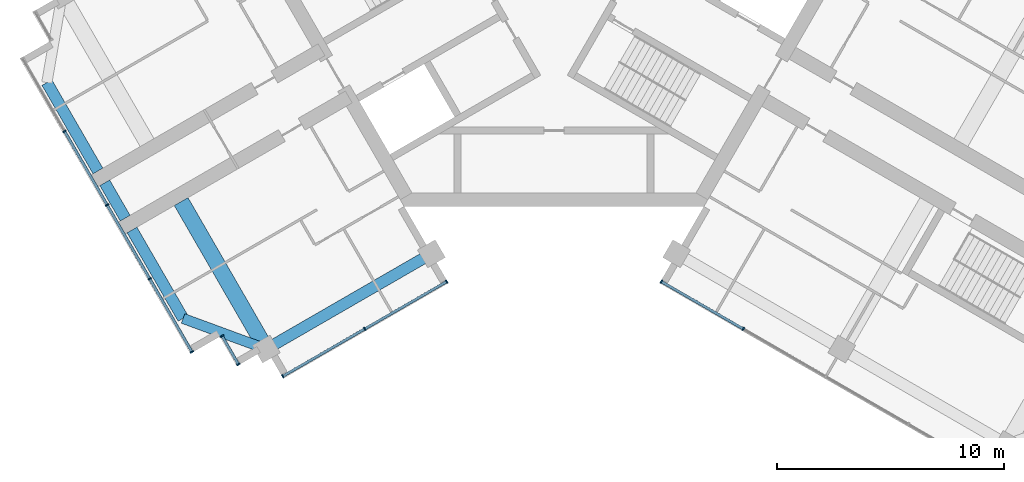
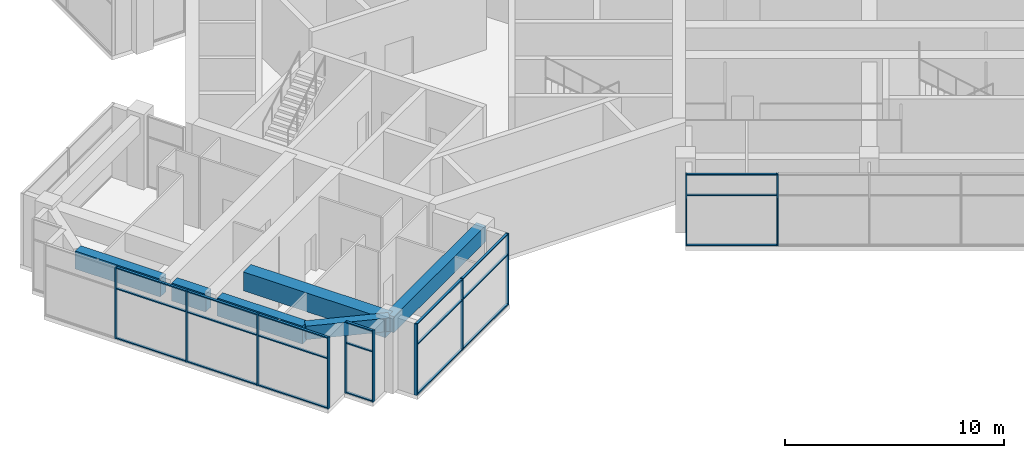
# One storey, part 2 of 13: 32 members, 6 beams, 4 elements without a shape of their own.
"""IFC4 building model written with IfcOpenShell, lengths in metres."""

import ifcopenshell
import ifcopenshell.guid

model = None  # the IFC model being written
_history = None  # IfcOwnerHistory: only IFC2X3 demands one
_inside = {}  # id of a spatial element -> (the spatial element, [elements in it])
_under = {}  # id of a project, library or spatial element -> (it, [spatial elements below it])
_declared = {}  # id of a project -> (the project, [libraries it declares])
_typed = {}  # id of a type object -> (the type object, [elements of that type])
_made_of = {}  # id of a material, layer set ... -> (it, [elements and type objects made of it])


def new_model(schema):
    """Start an empty IFC model of exactly this schema.

    Asked for "IFC4X3", IfcOpenShell would pick the latest addendum, in which some entities
    have other attributes; the version numbers below select the first issue.
    IFC2X3 requires an IfcOwnerHistory on every rooted entity: one is made here for all.
    """
    global model, _history
    if schema == "IFC4X3":
        model = ifcopenshell.file(schema_version=(4, 3, 0, 0))
    else:
        model = ifcopenshell.file(schema=schema)
    _inside.clear()
    _under.clear()
    _declared.clear()
    _typed.clear()
    _made_of.clear()
    _history = None
    if model.schema == "IFC2X3":
        org = make("IfcOrganization", Name="unknown")
        user = make(
            "IfcPersonAndOrganization",
            ThePerson=make("IfcPerson", FamilyName="unknown"),
            TheOrganization=org,
        )
        app = make(
            "IfcApplication",
            ApplicationDeveloper=org,
            Version="unknown",
            ApplicationFullName="unknown",
            ApplicationIdentifier="unknown",
        )
        _history = make(
            "IfcOwnerHistory",
            OwningUser=user,
            OwningApplication=app,
            ChangeAction="ADDED",
            CreationDate=0,
        )
    return model


def make(cls, **values):
    """One entity of the class cls with the attributes given. An attribute that is None is left unset."""
    return model.create_entity(
        cls, **{name: value for name, value in values.items() if value is not None}
    )


def rooted(cls, **values):
    """An entity with a GlobalId (a new one), such as an element, a storey or a relation."""
    return make(cls, GlobalId=ifcopenshell.guid.new(), OwnerHistory=_history, **values)


def si_unit(unit_type, name, prefix=None):
    """IfcSIUnit, for example si_unit("LENGTHUNIT", "METRE", prefix="MILLI")."""
    return make("IfcSIUnit", UnitType=unit_type, Prefix=prefix, Name=name)


def assignment(units):
    """IfcUnitAssignment: the units of a project."""
    return None if units is None else make("IfcUnitAssignment", Units=units)


def point(xyz):
    """IfcCartesianPoint."""
    return None if xyz is None else make("IfcCartesianPoint", Coordinates=xyz)


def direction(xyz):
    """IfcDirection."""
    return None if xyz is None else make("IfcDirection", DirectionRatios=xyz)


def frame(location, z_axis=None, x_axis=None):
    """IfcAxis2Placement3D, a coordinate frame: its origin and axes. An axis left out is left unset."""
    return make(
        "IfcAxis2Placement3D",
        Location=point(location),
        Axis=direction(z_axis),
        RefDirection=direction(x_axis),
    )


def frame_2d(location, x_axis=None):
    """IfcAxis2Placement2D, a coordinate frame in the plane: its origin and x axis."""
    return make(
        "IfcAxis2Placement2D", Location=point(location), RefDirection=direction(x_axis)
    )


def origin():
    """The frame at (0, 0, 0) with its axes left unset."""
    return frame((0.0, 0.0, 0.0))


def origin_2d():
    """The frame at (0, 0) in the plane with its x axis left unset."""
    return frame_2d((0.0, 0.0))


def place(relative_to, where):
    """IfcLocalPlacement: puts the frame where relative to a parent placement (None: the world)."""
    return make(
        "IfcLocalPlacement", PlacementRelTo=relative_to, RelativePlacement=where
    )


def context(
    kind, dimensions, precision=None, world=None, true_north=None, identifier=None
):
    """IfcGeometricRepresentationContext, for example the 3D "Model" context."""
    return make(
        "IfcGeometricRepresentationContext",
        ContextIdentifier=identifier,
        ContextType=kind,
        CoordinateSpaceDimension=dimensions,
        Precision=precision,
        WorldCoordinateSystem=world,
        TrueNorth=true_north,
    )


def subcontext(parent, identifier, kind, view, scale=None):
    """IfcGeometricRepresentationSubContext, for example "Body" below "Model"."""
    return make(
        "IfcGeometricRepresentationSubContext",
        ContextIdentifier=identifier,
        ContextType=kind,
        ParentContext=parent,
        TargetScale=scale,
        TargetView=view,
    )


def project(units=None, contexts=None):
    """IfcProject with its units and contexts."""
    return rooted(
        "IfcProject",
        Name="project",
        RepresentationContexts=contexts,
        UnitsInContext=assignment(units),
    )


def spatial(cls, under=None, at=None, **own):
    """A site, building, storey or space (cls), placed at a placement, below another one or the project."""
    s = rooted(cls, ObjectPlacement=at, **own)
    if under is not None:
        _under.setdefault(under.id(), (under, []))[1].append(s)
    return s


def profile(cls, at=None, kind="AREA", **sizes):
    """A parametric profile (cls). Its sizes go by their IFC names, for example OverallWidth=200.0."""
    return make(cls, ProfileType=kind, Position=at, **sizes)


def rectangle(**sizes):
    """IfcRectangleProfileDef."""
    return profile("IfcRectangleProfileDef", **sizes)


def extrude(swept, where, along, depth):
    """IfcExtrudedAreaSolid: the profile swept, set in the frame where, extruded along a direction by depth."""
    return make(
        "IfcExtrudedAreaSolid",
        SweptArea=swept,
        Position=where,
        ExtrudedDirection=direction(along),
        Depth=depth,
    )


def shape(context_of_items, identifier, shape_type, items):
    """IfcShapeRepresentation: the items that make up one representation, for example the "Body"."""
    return make(
        "IfcShapeRepresentation",
        ContextOfItems=context_of_items,
        RepresentationIdentifier=identifier,
        RepresentationType=shape_type,
        Items=items,
    )


def material(Name=None, Category=None):
    """IfcMaterial."""
    return make("IfcMaterial", Name=Name, Category=Category)


def material_profile(
    of_material, cross_section, Name=None, Category=None, Priority=None
):
    """IfcMaterialProfile: a cross section and its material."""
    return make(
        "IfcMaterialProfile",
        Name=Name,
        Material=of_material,
        Profile=cross_section,
        Priority=Priority,
        Category=Category,
    )


def profile_set(profiles, Name=None, composite=None):
    """IfcMaterialProfileSet."""
    return make(
        "IfcMaterialProfileSet",
        Name=Name,
        MaterialProfiles=profiles,
        CompositeProfile=composite,
    )


def made_of(thing, what):
    """Note that an element or type object is made of a material, layer set ...; save() writes the relation."""
    if what is not None:
        _made_of.setdefault(what.id(), (what, []))[1].append(thing)
    return thing


def type_object(cls, material=None, **own):
    """A type object (cls), such as IfcWallType, which elements share."""
    return made_of(rooted(cls, **own), material)


def element(
    cls,
    number,
    at=None,
    inside=None,
    cuts=None,
    type_object=None,
    material=None,
    context=None,
    identifier="Body",
    shape_type=None,
    held_by="IfcProductDefinitionShape",
    body=None,
    shapes=None,
    **own,
):
    """One element of the class cls, such as IfcWall. Its Tag is "e" and its number.

    at: its placement. inside: the storey or other place that contains it. cuts: it is an
    opening in that element (IfcRelVoidsElement). A single representation is given by context,
    identifier, shape_type and body (its items); several are given by shapes. held_by: the class
    of the entity that holds the representations. save() writes the other relations.
    """
    e = rooted(cls, Tag="e%d" % number, ObjectPlacement=at, **own)
    if body is not None:
        shapes = [shape(context, identifier, shape_type, body)]
    if shapes is not None:
        e.Representation = make(held_by, Representations=shapes)
    if inside is not None:
        _inside.setdefault(inside.id(), (inside, []))[1].append(e)
    if cuts is not None:
        rooted(
            "IfcRelVoidsElement", RelatingBuildingElement=cuts, RelatedOpeningElement=e
        )
    if type_object is not None:
        _typed.setdefault(type_object.id(), (type_object, []))[1].append(e)
    return made_of(e, material)


def aggregate(whole, parts):
    """IfcRelAggregates: a whole, such as a stair, and the parts it consists of."""
    return rooted("IfcRelAggregates", RelatingObject=whole, RelatedObjects=parts)


def save(model, path):
    """Write the relations noted so far, then the file.

    IfcRelAggregates (storeys below a building ...), IfcRelContainedInSpatialStructure (elements
    in a storey), IfcRelDefinesByType, IfcRelAssociatesMaterial and IfcRelDeclares: one each for
    every whole, place, type object, material and project.
    """
    for whole, parts in _under.values():
        aggregate(whole, parts)
    for where, things in _inside.values():
        rooted(
            "IfcRelContainedInSpatialStructure",
            RelatedElements=things,
            RelatingStructure=where,
        )
    for kind, things in _typed.values():
        rooted("IfcRelDefinesByType", RelatedObjects=things, RelatingType=kind)
    for what, things in _made_of.values():
        rooted("IfcRelAssociatesMaterial", RelatedObjects=things, RelatingMaterial=what)
    for by, libraries in _declared.values():
        rooted("IfcRelDeclares", RelatingContext=by, RelatedDefinitions=libraries)
    model.write(path)


model = new_model("IFC4")

# Units and contexts
model_context = context("Model", 3, precision=1e-05, world=origin(), true_north=direction((0.0, 1.0)))
body_context = subcontext(model_context, "Body", "Model", "MODEL_VIEW")
ifc_project = project(units=[si_unit("LENGTHUNIT", "METRE"), si_unit("AREAUNIT", "SQUARE_METRE"), si_unit("VOLUMEUNIT", "CUBIC_METRE"), si_unit("PLANEANGLEUNIT", "RADIAN"), si_unit("MASSUNIT", "GRAM", prefix="KILO")], contexts=[model_context])

# Site, building, storey
site_placement = place(None, origin())
site = spatial("IfcSite", under=ifc_project, at=site_placement, CompositionType="ELEMENT")
building_placement = place(site_placement, origin())
building = spatial("IfcBuilding", under=site, at=building_placement, Name="Impinga Residences", CompositionType="ELEMENT")
storey_placement = place(building_placement, frame((0.0, 0.0, 287.35009765625)))
storey = spatial("IfcBuildingStorey", under=building, at=storey_placement, Name="L72", CompositionType="ELEMENT", Elevation=287.35009765625)

# Beams
ifc_material_1 = material(Name="Concrete C60/75", Category="concrete")
ifc_material_profile_1 = material_profile(ifc_material_1, rectangle(XDim=0.449951171875, YDim=0.75, at=origin_2d()), Name="RC 450x750")
ifc_profile_set_1 = profile_set([ifc_material_profile_1], Name="Concrete C60/75")
beam_type_1 = type_object("IfcBeamType", Name="CB1 450x750 wing end cantilever beam", PredefinedType="BEAM", material=ifc_profile_set_1)
beam_1_placement = place(storey_placement, frame((-12.674560546875, -17.7099609375, 3.60498046875), z_axis=(-0.938520178725, 0.345224382289, 0.0), x_axis=(-0.345224382289, -0.938520178725, 0.0)))
element("IfcBeam", 1, at=beam_1_placement, inside=storey, type_object=beam_type_1, Name="Beam CB1 WB W2-WX level L73", PredefinedType="BEAM", context=body_context, shape_type="SweptSolid", body=[
    extrude(rectangle(XDim=0.449951171875, YDim=0.75, at=origin_2d()), origin(), (0.0, 0.0, 1.0), 3.905029296875),
])
ifc_material_profile_2 = material_profile(ifc_material_1, rectangle(XDim=0.699951171875, YDim=1.050048828125, at=origin_2d()), Name="RC 700x1050")
ifc_profile_set_2 = profile_set([ifc_material_profile_2], Name="Concrete C60/75")
beam_type_2 = type_object("IfcBeamType", Name="CG1 700x1050 cross girder on a wing bay line", PredefinedType="BEAM", material=ifc_profile_set_2)
beam_2_placement = place(storey_placement, frame((-16.424560546875, -11.21484375, 3.454833984375), z_axis=(0.500004234368, -0.866022959057, 0.0), x_axis=(0.866022959057, 0.500004234368, 0.0)))
element("IfcBeam", 2, at=beam_2_placement, inside=storey, type_object=beam_type_2, Name="Beam CG1 W2 WC/WA level L73", PredefinedType="BEAM", context=body_context, shape_type="SweptSolid", body=[
    extrude(rectangle(XDim=0.699951171875, YDim=1.050048828125, at=origin_2d()), origin(), (0.0, 0.0, 1.0), 7.5),
])

# Curtain wall, members
ifc_material_2 = material(Name="Aluminium stick curtain wall", Category="aluminium")
curtain_wall_type = type_object("IfcCurtainWallType", Name="CW3 penthouse curtain wall", PredefinedType="USERDEFINED", material=ifc_material_2)
curtain_wall_1_placement = place(storey_placement, origin())
curtain_wall_1 = element("IfcCurtainWall", 3, at=curtain_wall_1_placement, inside=storey, type_object=curtain_wall_type, Name="Curtain wall CW3 L72", ObjectType="STICK CURTAIN WALL", PredefinedType="USERDEFINED")
ifc_material_3 = material(Name="Aluminium mullion", Category="aluminium")
ifc_material_profile_3 = material_profile(ifc_material_3, rectangle(XDim=0.06005859375, YDim=0.159912109375, at=origin_2d()), Name="60x160 mullion")
ifc_profile_set_3 = profile_set([ifc_material_profile_3], Name="Aluminium mullion")
member_type_1 = type_object("IfcMemberType", Name="CW3-M mullion 60x160", PredefinedType="MULLION", material=ifc_profile_set_3)
member_1_placement = place(storey_placement, frame((8.33740234375, -16.822509765625, 0.0), z_axis=(0.0, 0.0, 1.0), x_axis=(-0.866025407005, 0.499999994423, 0.0)))
member_1 = element("IfcMember", 4, at=member_1_placement, type_object=member_type_1, Name="CW3 mullion 4", PredefinedType="MULLION", context=body_context, shape_type="SweptSolid", body=[
    extrude(rectangle(XDim=0.06005859375, YDim=0.159912109375, at=origin_2d()), origin(), (0.0, 0.0, 1.0), 3.97998046875),
])
member_2_placement = place(storey_placement, frame((4.72607421875, -14.737548828125, 0.0), z_axis=(0.0, 0.0, 1.0), x_axis=(-0.866025407005, 0.499999994423, 0.0)))
member_2 = element("IfcMember", 5, at=member_2_placement, type_object=member_type_1, Name="CW3 mullion 5", PredefinedType="MULLION", context=body_context, shape_type="SweptSolid", body=[
    extrude(rectangle(XDim=0.06005859375, YDim=0.159912109375, at=origin_2d()), origin(), (0.0, 0.0, 1.0), 3.97998046875),
])

curtain_wall_2_placement = place(storey_placement, origin())
curtain_wall_2 = element("IfcCurtainWall", 6, at=curtain_wall_2_placement, inside=storey, type_object=curtain_wall_type, Name="Curtain wall CW3 L72", ObjectType="STICK CURTAIN WALL", PredefinedType="USERDEFINED")
member_3_placement = place(storey_placement, frame((-4.72607421875, -14.737548828125, 0.0), z_axis=(0.0, 0.0, 1.0), x_axis=(-0.866025392126, -0.500000020194, 0.0)))
member_3 = element("IfcMember", 7, at=member_3_placement, type_object=member_type_1, Name="CW3 mullion 1", PredefinedType="MULLION", context=body_context, shape_type="SweptSolid", body=[
    extrude(rectangle(XDim=0.06005859375, YDim=0.159912109375, at=origin_2d()), origin(), (0.0, 0.0, 1.0), 3.97998046875),
])
member_4_placement = place(storey_placement, frame((-8.33740234375, -16.822509765625, 0.0), z_axis=(0.0, 0.0, 1.0), x_axis=(-0.866025392126, -0.500000020194, 0.0)))
member_4 = element("IfcMember", 8, at=member_4_placement, type_object=member_type_1, Name="CW3 mullion 2", PredefinedType="MULLION", context=body_context, shape_type="SweptSolid", body=[
    extrude(rectangle(XDim=0.06005859375, YDim=0.159912109375, at=origin_2d()), origin(), (0.0, 0.0, 1.0), 3.97998046875),
])
member_5_placement = place(storey_placement, frame((-11.94873046875, -18.907470703125, 0.0), z_axis=(0.0, 0.0, 1.0), x_axis=(-0.866025392126, -0.500000020194, 0.0)))
member_5 = element("IfcMember", 9, at=member_5_placement, type_object=member_type_1, Name="CW3 mullion 3", PredefinedType="MULLION", context=body_context, shape_type="SweptSolid", body=[
    extrude(rectangle(XDim=0.06005859375, YDim=0.159912109375, at=origin_2d()), origin(), (0.0, 0.0, 1.0), 3.97998046875),
])

curtain_wall_3_placement = place(storey_placement, origin())
curtain_wall_3 = element("IfcCurtainWall", 10, at=curtain_wall_3_placement, inside=storey, type_object=curtain_wall_type, Name="Curtain wall CW3 L72", ObjectType="STICK CURTAIN WALL", PredefinedType="USERDEFINED")
member_6_placement = place(storey_placement, frame((-13.902099609375, -18.384033203125, 0.0), z_axis=(0.0, 0.0, 1.0), x_axis=(-0.500000030502, 0.866025386174, 0.0)))
member_6 = element("IfcMember", 11, at=member_6_placement, type_object=member_type_1, Name="CW3 mullion 1", PredefinedType="MULLION", context=body_context, shape_type="SweptSolid", body=[
    extrude(rectangle(XDim=0.06005859375, YDim=0.159912109375, at=origin_2d()), origin(), (0.0, 0.0, 1.0), 3.97998046875),
])
member_7_placement = place(storey_placement, frame((-14.6220703125, -17.136962890625, 0.0), z_axis=(0.0, 0.0, 1.0), x_axis=(-0.500000030502, 0.866025386174, 0.0)))
member_7 = element("IfcMember", 12, at=member_7_placement, type_object=member_type_1, Name="CW3 mullion 2", PredefinedType="MULLION", context=body_context, shape_type="SweptSolid", body=[
    extrude(rectangle(XDim=0.06005859375, YDim=0.159912109375, at=origin_2d()), origin(), (0.0, 0.0, 1.0), 3.97998046875),
])

curtain_wall_4_placement = place(storey_placement, origin())
curtain_wall_4 = element("IfcCurtainWall", 13, at=curtain_wall_4_placement, inside=storey, type_object=curtain_wall_type, Name="Curtain wall CW3 L72", ObjectType="STICK CURTAIN WALL", PredefinedType="USERDEFINED")
member_8_placement = place(storey_placement, frame((-15.951171875, -17.8349609375, 0.0), z_axis=(0.0, 0.0, 1.0), x_axis=(-0.500000001632, 0.866025402842, 0.0)))
member_8 = element("IfcMember", 14, at=member_8_placement, type_object=member_type_1, Name="CW3 mullion 1", PredefinedType="MULLION", context=body_context, shape_type="SweptSolid", body=[
    extrude(rectangle(XDim=0.06005859375, YDim=0.159912109375, at=origin_2d()), origin(), (0.0, 0.0, 1.0), 3.97998046875),
])
member_9_placement = place(storey_placement, frame((-17.81103515625, -14.61328125, 0.0), z_axis=(0.0, 0.0, 1.0), x_axis=(-0.500000001632, 0.866025402842, 0.0)))
member_9 = element("IfcMember", 15, at=member_9_placement, type_object=member_type_1, Name="CW3 mullion 2", PredefinedType="MULLION", context=body_context, shape_type="SweptSolid", body=[
    extrude(rectangle(XDim=0.06005859375, YDim=0.159912109375, at=origin_2d()), origin(), (0.0, 0.0, 1.0), 3.97998046875),
])
member_10_placement = place(storey_placement, frame((-19.68603515625, -11.36572265625, 0.0), z_axis=(0.0, 0.0, 1.0), x_axis=(-0.500000001632, 0.866025402842, 0.0)))
member_10 = element("IfcMember", 16, at=member_10_placement, type_object=member_type_1, Name="CW3 mullion 3", PredefinedType="MULLION", context=body_context, shape_type="SweptSolid", body=[
    extrude(rectangle(XDim=0.06005859375, YDim=0.159912109375, at=origin_2d()), origin(), (0.0, 0.0, 1.0), 3.97998046875),
])
member_11_placement = place(storey_placement, frame((-21.56103515625, -8.1181640625, 0.0), z_axis=(0.0, 0.0, 1.0), x_axis=(-0.500000001632, 0.866025402842, 0.0)))
member_11 = element("IfcMember", 17, at=member_11_placement, type_object=member_type_1, Name="CW3 mullion 4", PredefinedType="MULLION", context=body_context, shape_type="SweptSolid", body=[
    extrude(rectangle(XDim=0.06005859375, YDim=0.159912109375, at=origin_2d()), origin(), (0.0, 0.0, 1.0), 3.97998046875),
])

# Member
ifc_material_4 = material(Name="Aluminium transom", Category="aluminium")
ifc_material_profile_4 = material_profile(ifc_material_4, rectangle(XDim=0.06005859375, YDim=0.1201171875, at=origin_2d()), Name="60x120 transom")
ifc_profile_set_4 = profile_set([ifc_material_profile_4], Name="Aluminium transom")
member_type_2 = type_object("IfcMemberType", Name="CW3-T transom 60x120", PredefinedType="USERDEFINED", material=ifc_profile_set_4)
member_12_placement = place(storey_placement, frame((8.311279296875, -16.807373046875, 0.02978515625), z_axis=(-0.866030279993, 0.499991554064, 0.0), x_axis=(0.0, 0.0, 1.0)))
member_12 = element("IfcMember", 18, at=member_12_placement, type_object=member_type_2, Name="CW3 transom 4.1", ObjectType="TRANSOM", PredefinedType="USERDEFINED", context=body_context, shape_type="SweptSolid", body=[
    extrude(rectangle(XDim=0.06005859375, YDim=0.1201171875, at=origin_2d()), origin(), (0.0, 0.0, 1.0), 4.10986328125),
])

member_13_placement = place(storey_placement, frame((8.311279296875, -16.807373046875, 2.7998046875), z_axis=(-0.866030279993, 0.499991554064, 0.0), x_axis=(0.0, 0.0, 1.0)))
member_13 = element("IfcMember", 19, at=member_13_placement, type_object=member_type_2, Name="CW3 transom 4.2", ObjectType="TRANSOM", PredefinedType="USERDEFINED", context=body_context, shape_type="SweptSolid", body=[
    extrude(rectangle(XDim=0.06005859375, YDim=0.1201171875, at=origin_2d()), origin(), (0.0, 0.0, 1.0), 4.10986328125),
])

member_14_placement = place(storey_placement, frame((8.311279296875, -16.807373046875, 3.949951171875), z_axis=(-0.866030279993, 0.499991554064, 0.0), x_axis=(0.0, 0.0, 1.0)))
member_14 = element("IfcMember", 20, at=member_14_placement, type_object=member_type_2, Name="CW3 transom 4.3", ObjectType="TRANSOM", PredefinedType="USERDEFINED", context=body_context, shape_type="SweptSolid", body=[
    extrude(rectangle(XDim=0.06005859375, YDim=0.1201171875, at=origin_2d()), origin(), (0.0, 0.0, 1.0), 4.10986328125),
])

aggregate(curtain_wall_1, [member_1, member_2, member_12, member_13, member_14])

member_15_placement = place(storey_placement, frame((-4.751953125, -14.75244140625, 0.02978515625), z_axis=(-0.866030279993, -0.499991554064, 0.0), x_axis=(0.0, 0.0, 1.0)))
member_15 = element("IfcMember", 21, at=member_15_placement, type_object=member_type_2, Name="CW3 transom 1.1", ObjectType="TRANSOM", PredefinedType="USERDEFINED", context=body_context, shape_type="SweptSolid", body=[
    extrude(rectangle(XDim=0.06005859375, YDim=0.1201171875, at=origin_2d()), origin(), (0.0, 0.0, 1.0), 4.10986328125),
])

member_16_placement = place(storey_placement, frame((-4.751953125, -14.75244140625, 2.7998046875), z_axis=(-0.866030279993, -0.499991554064, 0.0), x_axis=(0.0, 0.0, 1.0)))
member_16 = element("IfcMember", 22, at=member_16_placement, type_object=member_type_2, Name="CW3 transom 1.2", ObjectType="TRANSOM", PredefinedType="USERDEFINED", context=body_context, shape_type="SweptSolid", body=[
    extrude(rectangle(XDim=0.06005859375, YDim=0.1201171875, at=origin_2d()), origin(), (0.0, 0.0, 1.0), 4.10986328125),
])

member_17_placement = place(storey_placement, frame((-4.751953125, -14.75244140625, 3.949951171875), z_axis=(-0.866030279993, -0.499991554064, 0.0), x_axis=(0.0, 0.0, 1.0)))
member_17 = element("IfcMember", 23, at=member_17_placement, type_object=member_type_2, Name="CW3 transom 1.3", ObjectType="TRANSOM", PredefinedType="USERDEFINED", context=body_context, shape_type="SweptSolid", body=[
    extrude(rectangle(XDim=0.06005859375, YDim=0.1201171875, at=origin_2d()), origin(), (0.0, 0.0, 1.0), 4.10986328125),
])

member_18_placement = place(storey_placement, frame((-8.36328125, -16.83740234375, 0.02978515625), z_axis=(-0.866030279993, -0.499991554064, 0.0), x_axis=(0.0, 0.0, 1.0)))
member_18 = element("IfcMember", 24, at=member_18_placement, type_object=member_type_2, Name="CW3 transom 2.1", ObjectType="TRANSOM", PredefinedType="USERDEFINED", context=body_context, shape_type="SweptSolid", body=[
    extrude(rectangle(XDim=0.06005859375, YDim=0.1201171875, at=origin_2d()), origin(), (0.0, 0.0, 1.0), 4.10986328125),
])

member_19_placement = place(storey_placement, frame((-8.36328125, -16.83740234375, 2.7998046875), z_axis=(-0.866030279993, -0.499991554064, 0.0), x_axis=(0.0, 0.0, 1.0)))
member_19 = element("IfcMember", 25, at=member_19_placement, type_object=member_type_2, Name="CW3 transom 2.2", ObjectType="TRANSOM", PredefinedType="USERDEFINED", context=body_context, shape_type="SweptSolid", body=[
    extrude(rectangle(XDim=0.06005859375, YDim=0.1201171875, at=origin_2d()), origin(), (0.0, 0.0, 1.0), 4.10986328125),
])

member_20_placement = place(storey_placement, frame((-8.36328125, -16.83740234375, 3.949951171875), z_axis=(-0.866030279993, -0.499991554064, 0.0), x_axis=(0.0, 0.0, 1.0)))
member_20 = element("IfcMember", 26, at=member_20_placement, type_object=member_type_2, Name="CW3 transom 2.3", ObjectType="TRANSOM", PredefinedType="USERDEFINED", context=body_context, shape_type="SweptSolid", body=[
    extrude(rectangle(XDim=0.06005859375, YDim=0.1201171875, at=origin_2d()), origin(), (0.0, 0.0, 1.0), 4.10986328125),
])

aggregate(curtain_wall_2, [member_3, member_4, member_5, member_15, member_16, member_17, member_18, member_19, member_20])

member_21_placement = place(storey_placement, frame((-13.9169921875, -18.358154296875, 0.02978515625), z_axis=(-0.499906209203, 0.866079547155, 0.0), x_axis=(0.0, 0.0, 1.0)))
member_21 = element("IfcMember", 27, at=member_21_placement, type_object=member_type_2, Name="CW3 transom 1.1", ObjectType="TRANSOM", PredefinedType="USERDEFINED", context=body_context, shape_type="SweptSolid", body=[
    extrude(rectangle(XDim=0.06005859375, YDim=0.1201171875, at=origin_2d()), origin(), (0.0, 0.0, 1.0), 1.380126953125),
])

member_22_placement = place(storey_placement, frame((-13.9169921875, -18.358154296875, 2.7998046875), z_axis=(-0.499906209203, 0.866079547155, 0.0), x_axis=(0.0, 0.0, 1.0)))
member_22 = element("IfcMember", 28, at=member_22_placement, type_object=member_type_2, Name="CW3 transom 1.2", ObjectType="TRANSOM", PredefinedType="USERDEFINED", context=body_context, shape_type="SweptSolid", body=[
    extrude(rectangle(XDim=0.06005859375, YDim=0.1201171875, at=origin_2d()), origin(), (0.0, 0.0, 1.0), 1.380126953125),
])

member_23_placement = place(storey_placement, frame((-13.9169921875, -18.358154296875, 3.949951171875), z_axis=(-0.499906209203, 0.866079547155, 0.0), x_axis=(0.0, 0.0, 1.0)))
member_23 = element("IfcMember", 29, at=member_23_placement, type_object=member_type_2, Name="CW3 transom 1.3", ObjectType="TRANSOM", PredefinedType="USERDEFINED", context=body_context, shape_type="SweptSolid", body=[
    extrude(rectangle(XDim=0.06005859375, YDim=0.1201171875, at=origin_2d()), origin(), (0.0, 0.0, 1.0), 1.380126953125),
])

aggregate(curtain_wall_3, [member_6, member_7, member_21, member_22, member_23])

member_24_placement = place(storey_placement, frame((-15.966064453125, -17.80908203125, 0.02978515625), z_axis=(-0.500013080017, 0.866017851902, 0.0), x_axis=(0.0, 0.0, 1.0)))
member_24 = element("IfcMember", 30, at=member_24_placement, type_object=member_type_2, Name="CW3 transom 1.1", ObjectType="TRANSOM", PredefinedType="USERDEFINED", context=body_context, shape_type="SweptSolid", body=[
    extrude(rectangle(XDim=0.06005859375, YDim=0.1201171875, at=origin_2d()), origin(), (0.0, 0.0, 1.0), 3.66015625),
])

member_25_placement = place(storey_placement, frame((-15.966064453125, -17.80908203125, 2.7998046875), z_axis=(-0.500013080017, 0.866017851902, 0.0), x_axis=(0.0, 0.0, 1.0)))
member_25 = element("IfcMember", 31, at=member_25_placement, type_object=member_type_2, Name="CW3 transom 1.2", ObjectType="TRANSOM", PredefinedType="USERDEFINED", context=body_context, shape_type="SweptSolid", body=[
    extrude(rectangle(XDim=0.06005859375, YDim=0.1201171875, at=origin_2d()), origin(), (0.0, 0.0, 1.0), 3.66015625),
])

member_26_placement = place(storey_placement, frame((-15.966064453125, -17.80908203125, 3.949951171875), z_axis=(-0.500013080017, 0.866017851902, 0.0), x_axis=(0.0, 0.0, 1.0)))
member_26 = element("IfcMember", 32, at=member_26_placement, type_object=member_type_2, Name="CW3 transom 1.3", ObjectType="TRANSOM", PredefinedType="USERDEFINED", context=body_context, shape_type="SweptSolid", body=[
    extrude(rectangle(XDim=0.06005859375, YDim=0.1201171875, at=origin_2d()), origin(), (0.0, 0.0, 1.0), 3.66015625),
])

member_27_placement = place(storey_placement, frame((-17.826171875, -14.58740234375, 0.02978515625), z_axis=(-0.500003092839, 0.866023618125, 0.0), x_axis=(0.0, 0.0, 1.0)))
member_27 = element("IfcMember", 33, at=member_27_placement, type_object=member_type_2, Name="CW3 transom 2.1", ObjectType="TRANSOM", PredefinedType="USERDEFINED", context=body_context, shape_type="SweptSolid", body=[
    extrude(rectangle(XDim=0.06005859375, YDim=0.1201171875, at=origin_2d()), origin(), (0.0, 0.0, 1.0), 3.68994140625),
])

member_28_placement = place(storey_placement, frame((-17.826171875, -14.58740234375, 2.7998046875), z_axis=(-0.500003092839, 0.866023618125, 0.0), x_axis=(0.0, 0.0, 1.0)))
member_28 = element("IfcMember", 34, at=member_28_placement, type_object=member_type_2, Name="CW3 transom 2.2", ObjectType="TRANSOM", PredefinedType="USERDEFINED", context=body_context, shape_type="SweptSolid", body=[
    extrude(rectangle(XDim=0.06005859375, YDim=0.1201171875, at=origin_2d()), origin(), (0.0, 0.0, 1.0), 3.68994140625),
])

member_29_placement = place(storey_placement, frame((-17.826171875, -14.58740234375, 3.949951171875), z_axis=(-0.500003092839, 0.866023618125, 0.0), x_axis=(0.0, 0.0, 1.0)))
member_29 = element("IfcMember", 35, at=member_29_placement, type_object=member_type_2, Name="CW3 transom 2.3", ObjectType="TRANSOM", PredefinedType="USERDEFINED", context=body_context, shape_type="SweptSolid", body=[
    extrude(rectangle(XDim=0.06005859375, YDim=0.1201171875, at=origin_2d()), origin(), (0.0, 0.0, 1.0), 3.68994140625),
])

member_30_placement = place(storey_placement, frame((-19.701171875, -11.33984375, 0.02978515625), z_axis=(-0.499974444137, 0.866040157966, 0.0), x_axis=(0.0, 0.0, 1.0)))
member_30 = element("IfcMember", 36, at=member_30_placement, type_object=member_type_2, Name="CW3 transom 3.1", ObjectType="TRANSOM", PredefinedType="USERDEFINED", context=body_context, shape_type="SweptSolid", body=[
    extrude(rectangle(XDim=0.06005859375, YDim=0.1201171875, at=origin_2d()), origin(), (0.0, 0.0, 1.0), 3.690185546875),
])

member_31_placement = place(storey_placement, frame((-19.701171875, -11.33984375, 2.7998046875), z_axis=(-0.499974444137, 0.866040157966, 0.0), x_axis=(0.0, 0.0, 1.0)))
member_31 = element("IfcMember", 37, at=member_31_placement, type_object=member_type_2, Name="CW3 transom 3.2", ObjectType="TRANSOM", PredefinedType="USERDEFINED", context=body_context, shape_type="SweptSolid", body=[
    extrude(rectangle(XDim=0.06005859375, YDim=0.1201171875, at=origin_2d()), origin(), (0.0, 0.0, 1.0), 3.690185546875),
])

member_32_placement = place(storey_placement, frame((-19.701171875, -11.33984375, 3.949951171875), z_axis=(-0.499974444137, 0.866040157966, 0.0), x_axis=(0.0, 0.0, 1.0)))
member_32 = element("IfcMember", 38, at=member_32_placement, type_object=member_type_2, Name="CW3 transom 3.3", ObjectType="TRANSOM", PredefinedType="USERDEFINED", context=body_context, shape_type="SweptSolid", body=[
    extrude(rectangle(XDim=0.06005859375, YDim=0.1201171875, at=origin_2d()), origin(), (0.0, 0.0, 1.0), 3.690185546875),
])

aggregate(curtain_wall_4, [member_8, member_9, member_10, member_11, member_24, member_25, member_26, member_27, member_28, member_29, member_30, member_31, member_32])

# Beams
ifc_material_profile_5 = material_profile(ifc_material_1, rectangle(XDim=0.5, YDim=1.0, at=origin_2d()), Name="RC 500x1000")
ifc_profile_set_5 = profile_set([ifc_material_profile_5], Name="Concrete C60/75")
beam_type_3 = type_object("IfcBeamType", Name="EB1 500x1000 wing end beam", PredefinedType="BEAM", material=ifc_profile_set_5)
beam_3_placement = place(storey_placement, frame((-16.339599609375, -16.36181640625, 3.47998046875), z_axis=(-0.500013631625, 0.866017533419, 0.0), x_axis=(-0.866017533419, -0.500013631625, 0.0)))
element("IfcBeam", 39, at=beam_3_placement, inside=storey, type_object=beam_type_3, Name="Beam EB1 WX1 level L73", PredefinedType="BEAM", context=body_context, shape_type="SweptSolid", body=[
    extrude(rectangle(XDim=0.5, YDim=1.0, at=origin_2d()), origin(), (0.0, 0.0, 1.0), 4.499755859375),
])
beam_4_placement = place(storey_placement, frame((-18.8896484375, -11.945068359375, 3.47998046875), z_axis=(-0.500062916607, 0.865989075817, 0.0), x_axis=(-0.865989075817, -0.500062916607, 0.0)))
element("IfcBeam", 40, at=beam_4_placement, inside=storey, type_object=beam_type_3, Name="Beam EB1 WX1 level L73", PredefinedType="BEAM", context=body_context, shape_type="SweptSolid", body=[
    extrude(rectangle(XDim=0.5, YDim=1.0, at=origin_2d()), origin(), (0.0, 0.0, 1.0), 1.800048828125),
])
beam_5_placement = place(storey_placement, frame((-20.089599609375, -9.86669921875, 3.47998046875), z_axis=(-0.500013631625, 0.866017533419, 0.0), x_axis=(-0.866017533419, -0.500013631625, 0.0)))
element("IfcBeam", 41, at=beam_5_placement, inside=storey, type_object=beam_type_3, Name="Beam EB1 WX1 level L73", PredefinedType="BEAM", context=body_context, shape_type="SweptSolid", body=[
    extrude(rectangle(XDim=0.5, YDim=1.0, at=origin_2d()), origin(), (0.0, 0.0, 1.0), 4.499755859375),
])
ifc_material_profile_6 = material_profile(ifc_material_1, rectangle(XDim=0.5, YDim=0.89990234375, at=origin_2d()), Name="RC 500x900")
ifc_profile_set_6 = profile_set([ifc_material_profile_6], Name="Concrete C60/75")
beam_type_4 = type_object("IfcBeamType", Name="SB1 500x900 perimeter spandrel beam", PredefinedType="SPANDREL", material=ifc_profile_set_6)
beam_6_placement = place(storey_placement, frame((-5.39990234375, -13.510009765625, 3.52978515625), z_axis=(-0.86602925447, -0.499993330357, 0.0), x_axis=(0.499993330357, -0.86602925447, 0.0)))
element("IfcBeam", 42, at=beam_6_placement, inside=storey, type_object=beam_type_4, Name="Beam SB1 WA W1-W2 level L73", PredefinedType="SPANDREL", context=body_context, shape_type="SweptSolid", body=[
    extrude(rectangle(XDim=0.5, YDim=0.89990234375, at=origin_2d()), origin(), (0.0, 0.0, 1.0), 8.39990234375),
])

save(model, "model.ifc")
